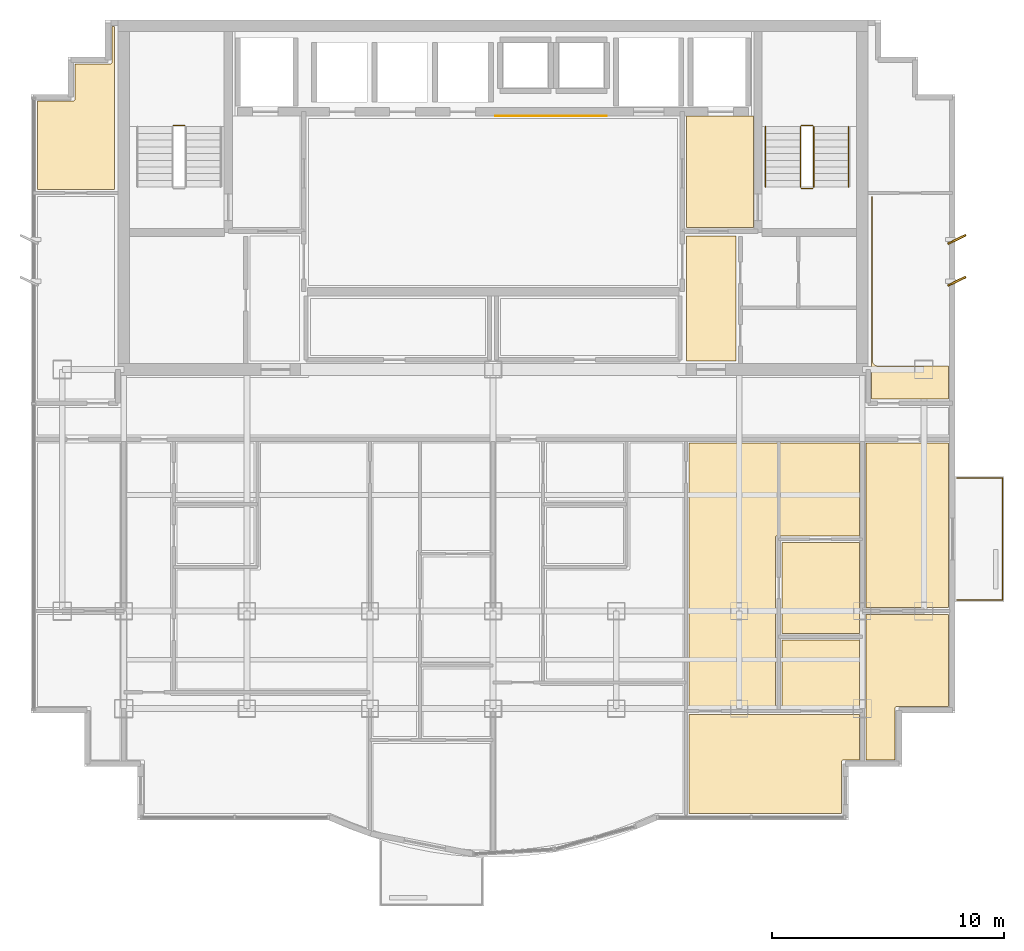
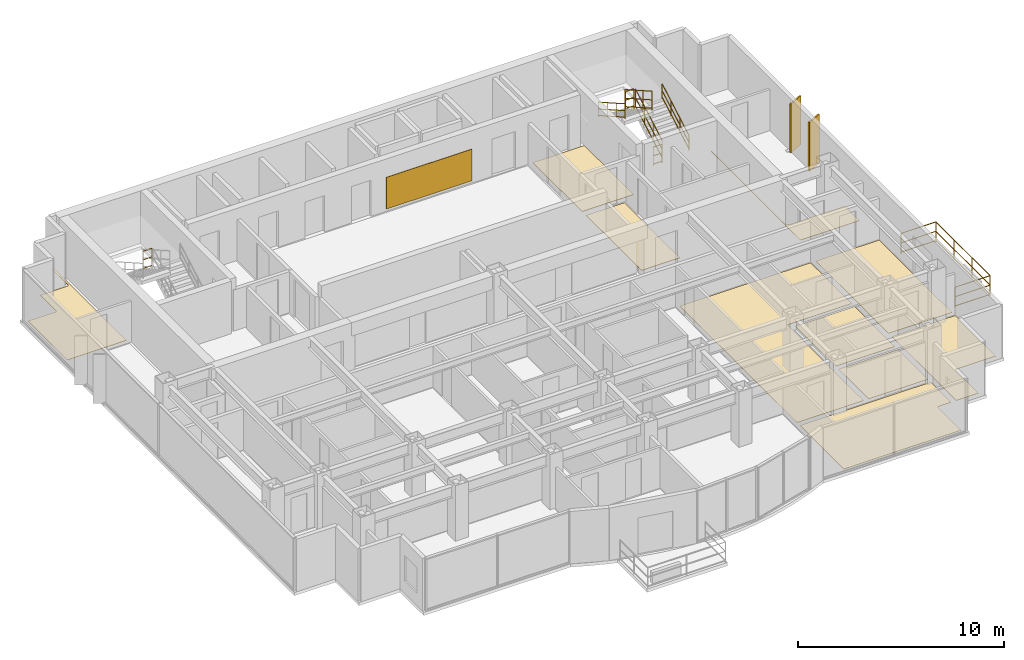
# One storey, part 11 of 11: 11 coverings, 8 railings, 2 shading devices.
"""IFC4 building model written with IfcOpenShell, lengths in metres."""

from ifc_helpers import new_model, si_unit, direction, frame, origin, origin_2d, place, context, subcontext, project, spatial, polyline, rectangle, circle, outline, extrude, source, transform, mapped, material, layer, layer_set, type_object, element, save


model = new_model("IFC4")

# Units and contexts
model_context = context("Model", 3, precision=1e-05, world=origin(), true_north=direction((0.0, 1.0)))
body_context = subcontext(model_context, "Body", "Model", "MODEL_VIEW")
ifc_project = project(units=[si_unit("LENGTHUNIT", "METRE"), si_unit("AREAUNIT", "SQUARE_METRE"), si_unit("VOLUMEUNIT", "CUBIC_METRE"), si_unit("PLANEANGLEUNIT", "RADIAN"), si_unit("MASSUNIT", "GRAM", prefix="KILO")], contexts=[model_context])

# Site, building, storey
site_placement = place(None, origin())
site = spatial("IfcSite", under=ifc_project, at=site_placement, CompositionType="ELEMENT")
building_placement = place(site_placement, origin())
building = spatial("IfcBuilding", under=site, at=building_placement, Name="Qianlan Lanfeng Residences", CompositionType="ELEMENT")
storey_placement = place(building_placement, frame((0.0, 0.0, 226.39990234375)))
storey = spatial("IfcBuildingStorey", under=building, at=storey_placement, Name="L62", CompositionType="ELEMENT", Elevation=226.39990234375)

# Coverings
ifc_material_1 = material(Name="Anodised Bronze Feature Wall Cladding")
ifc_layer_1 = layer(ifc_material_1, 0.02490234375)
ifc_layer_set_1 = layer_set([ifc_layer_1], Name="Anodised Bronze Feature Wall Cladding")
covering_type_1 = type_object("IfcCoveringType", Name="CLD-BRZ-25", PredefinedType="CLADDING", material=ifc_layer_set_1)
covering_1_placement = place(storey_placement, frame((0.0, 0.0, 0.150146484375)))
element("IfcCovering", 1, at=covering_1_placement, inside=storey, type_object=covering_type_1, Name="L62 Lift Lobby Bronze Feature Cladding", PredefinedType="CLADDING", context=body_context, shape_type="SweptSolid", body=[
    extrude(outline(polyline([(26.60009765625, 36.10009765625), (31.39990234375, 36.10009765625), (31.39990234375, 36.125), (26.60009765625, 36.125), (26.60009765625, 36.10009765625)])), origin(), (0.0, 0.0, 1.0), 1.8798828125),
])
ifc_material_2 = material(Name="Honed Taitung Granite Stone Flooring", Category="masonry")
ifc_layer_2 = layer(ifc_material_2, 0.030029296875)
ifc_layer_set_2 = layer_set([ifc_layer_2], Name="Honed Taitung Granite Stone Flooring")
covering_type_2 = type_object("IfcCoveringType", Name="FLR-STN-30", PredefinedType="FLOORING", material=ifc_layer_set_2)
covering_2_placement = place(storey_placement, origin())
element("IfcCovering", 2, at=covering_2_placement, inside=storey, type_object=covering_type_2, Name="L62 Firefighting Lift Lobby Floor Finish", PredefinedType="FLOORING", context=body_context, shape_type="SweptSolid", body=[
    extrude(outline(polyline([(34.820068359375, 31.320068359375), (37.7099609375, 31.320068359375), (37.7099609375, 36.110107421875), (34.820068359375, 36.110107421875), (34.820068359375, 31.320068359375)])), origin(), (0.0, 0.0, 1.0), 0.030029296875),
])
covering_3_placement = place(storey_placement, origin())
element("IfcCovering", 3, at=covering_3_placement, inside=storey, type_object=covering_type_2, Name="L62 Lift Lobby Floor Finish", PredefinedType="FLOORING", context=body_context, shape_type="SweptSolid", body=[
    extrude(outline(polyline([(34.830078125, 25.56005859375), (36.969970703125, 25.56005859375), (36.969970703125, 30.949951171875), (34.830078125, 30.949951171875), (34.830078125, 25.56005859375)])), origin(), (0.0, 0.0, 1.0), 0.030029296875),
])
ifc_material_3 = material(Name="Slip-Resistant Porcelain Tile Flooring")
ifc_layer_3 = layer(ifc_material_3, 0.02001953125)
ifc_layer_set_3 = layer_set([ifc_layer_3], Name="Slip-Resistant Porcelain Tile Flooring")
covering_type_3 = type_object("IfcCoveringType", Name="FLR-TIL-20", PredefinedType="FLOORING", material=ifc_layer_set_3)
covering_4_placement = place(storey_placement, origin())
element("IfcCovering", 4, at=covering_4_placement, inside=storey, type_object=covering_type_3, Name="L62 En-Suite Bathroom Floor Finish", PredefinedType="FLOORING", context=body_context, shape_type="SweptSolid", body=[
    extrude(outline(polyline([(38.93994140625, 10.634033203125), (42.27001953125, 10.634033203125), (42.27001953125, 13.553955078125), (38.93994140625, 13.553955078125), (38.93994140625, 10.634033203125)])), origin(), (0.0, 0.0, 1.0), 0.02001953125),
])
ifc_material_4 = material(Name="Engineered Smoked Oak Timber Flooring", Category="wood")
ifc_layer_4 = layer(ifc_material_4, 0.02197265625)
ifc_layer_set_4 = layer_set([ifc_layer_4], Name="Engineered Smoked Oak Timber Flooring")
covering_type_4 = type_object("IfcCoveringType", Name="FLR-TIM-22", PredefinedType="FLOORING", material=ifc_layer_set_4)
covering_5_placement = place(storey_placement, origin())
element("IfcCovering", 5, at=covering_5_placement, inside=storey, type_object=covering_type_4, Name="L62 Private Study Floor Finish", PredefinedType="FLOORING", context=body_context, shape_type="SweptSolid", body=[
    extrude(outline(polyline([(38.93994140625, 13.833984375), (42.27001953125, 13.833984375), (42.27001953125, 17.757080078125), (38.93994140625, 17.757080078125), (38.93994140625, 13.833984375)])), origin(), (0.0, 0.0, 1.0), 0.022216796875),
])
covering_6_placement = place(storey_placement, origin())
element("IfcCovering", 6, at=covering_6_placement, inside=storey, type_object=covering_type_4, Name="L62 Villa Family Sitting Room Floor Finish", PredefinedType="FLOORING", context=body_context, shape_type="SweptSolid", body=[
    extrude(outline(polyline([(34.929931640625, 10.634033203125), (38.659912109375, 10.634033203125), (38.659912109375, 17.967041015625), (38.659912109375, 17.97412109375), (38.660888671875, 17.98095703125), (38.6630859375, 17.987060546875), (38.6650390625, 17.993896484375), (38.66796875, 18.0), (38.672119140625, 18.006103515625), (38.676025390625, 18.010986328125), (38.680908203125, 18.01611328125), (38.68603515625, 18.02099609375), (38.69091796875, 18.02490234375), (38.697021484375, 18.029052734375), (38.702880859375, 18.031982421875), (38.7099609375, 18.033935546875), (38.716064453125, 18.035888671875), (38.722900390625, 18.037109375), (38.72998046875, 18.037109375), (42.27001953125, 18.037109375), (42.27001953125, 22.030029296875), (34.929931640625, 22.030029296875), (34.929931640625, 10.634033203125)])), origin(), (0.0, 0.0, 1.0), 0.022216796875),
])
covering_7_placement = place(storey_placement, origin())
element("IfcCovering", 7, at=covering_7_placement, inside=storey, type_object=covering_type_4, Name="L62 Master Bedroom Floor Finish", PredefinedType="FLOORING", context=body_context, shape_type="SweptSolid", body=[
    extrude(outline(polyline([(34.929931640625, 10.35400390625), (34.929931640625, 6.090087890625), (41.510009765625, 6.090087890625), (41.510009765625, 8.320068359375), (41.510009765625, 8.326904296875), (41.510986328125, 8.333984375), (41.512939453125, 8.340087890625), (41.514892578125, 8.346923828125), (41.51806640625, 8.35302734375), (41.52197265625, 8.35888671875), (41.52587890625, 8.364013671875), (41.531005859375, 8.368896484375), (41.535888671875, 8.3740234375), (41.541015625, 8.3779296875), (41.547119140625, 8.382080078125), (41.552978515625, 8.385009765625), (41.56005859375, 8.386962890625), (41.56591796875, 8.388916015625), (41.572998046875, 8.389892578125), (41.580078125, 8.389892578125), (42.27001953125, 8.389892578125), (42.27001953125, 10.35400390625), (34.929931640625, 10.35400390625)])), origin(), (0.0, 0.0, 1.0), 0.022216796875),
])
covering_8_placement = place(storey_placement, origin())
element("IfcCovering", 8, at=covering_8_placement, inside=storey, type_object=covering_type_4, Name="L62 Sunroom Floor Finish", PredefinedType="FLOORING", context=body_context, shape_type="SweptSolid", body=[
    extrude(outline(polyline([(46.110107421875, 14.64990234375), (42.56005859375, 14.64990234375), (42.56005859375, 8.389892578125), (43.81005859375, 8.389892578125), (43.81005859375, 10.6201171875), (43.81005859375, 10.626953125), (43.81103515625, 10.634033203125), (43.81298828125, 10.639892578125), (43.81494140625, 10.64697265625), (43.818115234375, 10.653076171875), (43.822021484375, 10.658935546875), (43.825927734375, 10.6640625), (43.8310546875, 10.6689453125), (43.8359375, 10.674072265625), (43.841064453125, 10.677978515625), (43.846923828125, 10.681884765625), (43.85302734375, 10.68505859375), (43.860107421875, 10.68701171875), (43.865966796875, 10.68896484375), (43.873046875, 10.68994140625), (43.8798828125, 10.68994140625), (46.110107421875, 10.68994140625), (46.110107421875, 14.64990234375)])), origin(), (0.0, 0.0, 1.0), 0.022216796875),
])
covering_9_placement = place(storey_placement, origin())
element("IfcCovering", 9, at=covering_9_placement, inside=storey, type_object=covering_type_4, Name="L62 Private Study Floor Finish", PredefinedType="FLOORING", context=body_context, shape_type="SweptSolid", body=[
    extrude(outline(polyline([(46.110107421875, 22.030029296875), (42.56005859375, 22.030029296875), (42.56005859375, 14.949951171875), (46.110107421875, 14.949951171875), (46.110107421875, 22.030029296875)])), origin(), (0.0, 0.0, 1.0), 0.022216796875),
])
covering_10_placement = place(storey_placement, origin())
element("IfcCovering", 10, at=covering_10_placement, inside=storey, type_object=covering_type_4, Name="L62 Resident Lounge Floor Finish", PredefinedType="FLOORING", context=body_context, shape_type="SweptSolid", body=[
    extrude(outline(polyline([(6.889892578125, 32.949951171875), (10.199951171875, 32.949951171875), (10.199951171875, 39.9599609375), (10.090087890625, 39.9599609375), (10.090087890625, 38.429931640625), (10.090087890625, 38.423095703125), (10.089111328125, 38.416015625), (10.0869140625, 38.409912109375), (10.0849609375, 38.403076171875), (10.08203125, 38.39697265625), (10.077880859375, 38.39111328125), (10.073974609375, 38.385986328125), (10.069091796875, 38.381103515625), (10.06396484375, 38.3759765625), (10.05908203125, 38.3720703125), (10.052978515625, 38.367919921875), (10.047119140625, 38.364990234375), (10.0400390625, 38.363037109375), (10.033935546875, 38.361083984375), (10.027099609375, 38.360107421875), (10.02001953125, 38.360107421875), (8.489990234375, 38.360107421875), (8.489990234375, 36.830078125), (8.489990234375, 36.822998046875), (8.489013671875, 36.81591796875), (8.487060546875, 36.81005859375), (8.485107421875, 36.802978515625), (8.48193359375, 36.797119140625), (8.47802734375, 36.791015625), (8.47412109375, 36.785888671875), (8.468994140625, 36.781005859375), (8.464111328125, 36.77587890625), (8.458984375, 36.77197265625), (8.452880859375, 36.76806640625), (8.447021484375, 36.764892578125), (8.43994140625, 36.762939453125), (8.43408203125, 36.760986328125), (8.427001953125, 36.760009765625), (8.419921875, 36.760009765625), (6.889892578125, 36.760009765625), (6.889892578125, 32.949951171875)])), origin(), (0.0, 0.0, 1.0), 0.022216796875),
])
covering_11_placement = place(storey_placement, origin())
element("IfcCovering", 11, at=covering_11_placement, inside=storey, type_object=covering_type_4, Name="L62 Tea Salon Floor Finish", PredefinedType="FLOORING", context=body_context, shape_type="SweptSolid", body=[
    extrude(outline(polyline([(46.110107421875, 25.35009765625), (43.080078125, 25.35009765625), (43.054931640625, 25.35107421875), (43.031005859375, 25.35498046875), (43.007080078125, 25.361083984375), (42.98388671875, 25.368896484375), (42.9619140625, 25.3798828125), (42.94091796875, 25.39208984375), (42.9208984375, 25.406982421875), (42.903076171875, 25.423095703125), (42.886962890625, 25.44091796875), (42.8720703125, 25.4609375), (42.860107421875, 25.48193359375), (42.84912109375, 25.50390625), (42.841064453125, 25.527099609375), (42.8349609375, 25.551025390625), (42.8310546875, 25.574951171875), (42.830078125, 25.60009765625), (42.830078125, 32.64990234375), (42.800048828125, 32.64990234375), (42.800048828125, 23.929931640625), (46.110107421875, 23.929931640625), (46.110107421875, 25.35009765625)])), origin(), (0.0, 0.0, 1.0), 0.022216796875),
])

# Railings
ifc_material_5 = material(Name="Anodised Bronze Aluminium and Laminated Glass Guard Balustrade", Category="aluminium")
railing_type_1 = type_object("IfcRailingType", Name="GR-EXT-1220", PredefinedType="BALUSTRADE", material=ifc_material_5)
railing_1_placement = place(storey_placement, frame((46.469970703125, 20.530029296875, 0.0)))
element("IfcRailing", 12, at=railing_1_placement, inside=storey, type_object=railing_type_1, Name="L62 Terrace Safety Guard GR-L62-EB-S", PredefinedType="BALUSTRADE", context=body_context, shape_type="SweptSolid", body=[
    extrude(circle(Radius=0.02490234375, at=origin_2d()), frame((0.0, 0.0, 0.0849609375), z_axis=(1.0, 0.0, 0.0), x_axis=(0.0, 1.0, 0.0)), (0.0, 0.0, 1.0), 1.9599609375),
    extrude(circle(Radius=0.02490234375, at=origin_2d()), frame((0.0, 0.0, 0.63427734375), z_axis=(1.0, 0.0, 0.0), x_axis=(0.0, 1.0, 0.0)), (0.0, 0.0, 1.0), 1.9599609375),
    extrude(circle(Radius=0.02490234375, at=origin_2d()), frame((0.0, 0.0, 1.19482421875), z_axis=(1.0, 0.0, 0.0), x_axis=(0.0, 1.0, 0.0)), (0.0, 0.0, 1.0), 1.9599609375),
    extrude(circle(Radius=0.02490234375, at=origin_2d()), frame((1.9599609375, 0.0, 0.0849609375), z_axis=(0.0, -1.0, 0.0), x_axis=(1.0, 0.0, 0.0)), (0.0, 0.0, 1.0), 5.260009765625),
    extrude(circle(Radius=0.02490234375, at=origin_2d()), frame((1.9599609375, 0.0, 0.63427734375), z_axis=(0.0, -1.0, 0.0), x_axis=(1.0, 0.0, 0.0)), (0.0, 0.0, 1.0), 5.260009765625),
    extrude(circle(Radius=0.02490234375, at=origin_2d()), frame((1.9599609375, 0.0, 1.19482421875), z_axis=(0.0, -1.0, 0.0), x_axis=(1.0, 0.0, 0.0)), (0.0, 0.0, 1.0), 5.260009765625),
    extrude(circle(Radius=0.02490234375, at=origin_2d()), frame((1.9599609375, -5.260009765625, 0.0849609375), z_axis=(-1.0, 0.0, 0.0), x_axis=(0.0, -1.0, 0.0)), (0.0, 0.0, 1.0), 1.9599609375),
    extrude(circle(Radius=0.02490234375, at=origin_2d()), frame((1.9599609375, -5.260009765625, 0.63427734375), z_axis=(-1.0, 0.0, 0.0), x_axis=(0.0, -1.0, 0.0)), (0.0, 0.0, 1.0), 1.9599609375),
    extrude(circle(Radius=0.02490234375, at=origin_2d()), frame((1.9599609375, -5.260009765625, 1.19482421875), z_axis=(-1.0, 0.0, 0.0), x_axis=(0.0, -1.0, 0.0)), (0.0, 0.0, 1.0), 1.9599609375),
    extrude(circle(Radius=0.02099609375, at=origin_2d()), origin(), (0.0, 0.0, 1.0), 1.169921875),
    extrude(circle(Radius=0.02099609375, at=origin_2d()), frame((1.9599609375, 0.0, 0.0)), (0.0, 0.0, 1.0), 1.169921875),
    extrude(circle(Radius=0.02099609375, at=origin_2d()), frame((1.9599609375, -1.75341796875, 0.0)), (0.0, 0.0, 1.0), 1.169921875),
    extrude(circle(Radius=0.02099609375, at=origin_2d()), frame((1.9599609375, -3.506591796875, 0.0)), (0.0, 0.0, 1.0), 1.169921875),
    extrude(circle(Radius=0.02099609375, at=origin_2d()), frame((1.9599609375, -5.260009765625, 0.0)), (0.0, 0.0, 1.0), 1.169921875),
    extrude(circle(Radius=0.02099609375, at=origin_2d()), frame((0.0, -5.260009765625, 0.0)), (0.0, 0.0, 1.0), 1.169921875),
])
ifc_material_6 = material(Name="Painted Galvanised Steel Guardrail", Category="steel")
railing_type_2 = type_object("IfcRailingType", Name="GR-ST-1120", PredefinedType="GUARDRAIL", material=ifc_material_6)
railing_2_placement = place(storey_placement, frame((13.219970703125, 35.7099609375, 1.650146484375)))
element("IfcRailing", 13, at=railing_2_placement, inside=storey, type_object=railing_type_2, Name="L62 ST-1 stair guard 2", PredefinedType="GUARDRAIL", context=body_context, shape_type="SweptSolid", body=[
    extrude(circle(Radius=0.02392578125, at=origin_2d()), frame((0.0, 0.0, 0.083984375), z_axis=(-1.0, 0.0, 0.0), x_axis=(0.0, -1.0, 0.0)), (0.0, 0.0, 1.0), 0.47998046875),
    extrude(circle(Radius=0.02392578125, at=origin_2d()), frame((0.0, 0.0, 0.58251953125), z_axis=(-1.0, 0.0, 0.0), x_axis=(0.0, -1.0, 0.0)), (0.0, 0.0, 1.0), 0.47998046875),
    extrude(circle(Radius=0.02392578125, at=origin_2d()), frame((0.0, 0.0, 1.09619140625), z_axis=(-1.0, 0.0, 0.0), x_axis=(0.0, -1.0, 0.0)), (0.0, 0.0, 1.0), 0.47998046875),
    extrude(circle(Radius=0.02099609375, at=origin_2d()), origin(), (0.0, 0.0, 1.0), 1.072021484375),
    extrude(circle(Radius=0.02099609375, at=origin_2d()), frame((-0.47998046875, 0.0, 0.0)), (0.0, 0.0, 1.0), 1.072021484375),
])
railing_3_placement = place(storey_placement, frame((40.31005859375, 33.050048828125, 0.1650390625)))
element("IfcRailing", 14, at=railing_3_placement, inside=storey, type_object=railing_type_2, Name="L62 ST-2 stair guard 1", PredefinedType="GUARDRAIL", context=body_context, shape_type="SweptSolid", body=[
    extrude(circle(Radius=0.02392578125, at=origin_2d()), frame((0.0, 0.0, 0.083984375), z_axis=(0.0, 0.869137319866, 0.494570843475), x_axis=(-1.0, 0.0, 0.0)), (0.0, 0.0, 1.0), 3.0029296875),
    extrude(circle(Radius=0.02392578125, at=origin_2d()), frame((0.0, 0.0, 0.58251953125), z_axis=(0.0, 0.869137319866, 0.494570843475), x_axis=(-1.0, 0.0, 0.0)), (0.0, 0.0, 1.0), 3.0029296875),
    extrude(circle(Radius=0.02392578125, at=origin_2d()), frame((0.0, 0.0, 1.09619140625), z_axis=(0.0, 0.869137319866, 0.494570843475), x_axis=(-1.0, 0.0, 0.0)), (0.0, 0.0, 1.0), 3.0029296875),
    extrude(circle(Radius=0.02099609375, at=origin_2d()), origin(), (0.0, 0.0, 1.0), 1.072021484375),
    extrude(circle(Radius=0.02099609375, at=origin_2d()), frame((0.0, 0.869873046875, 0.4951171875)), (0.0, 0.0, 1.0), 1.072021484375),
    extrude(circle(Radius=0.02099609375, at=origin_2d()), frame((0.0, 1.739990234375, 0.989990234375)), (0.0, 0.0, 1.0), 1.072021484375),
    extrude(circle(Radius=0.02099609375, at=origin_2d()), frame((0.0, 2.60986328125, 1.485107421875)), (0.0, 0.0, 1.0), 1.072021484375),
])
railing_4_placement = place(storey_placement, frame((40.260009765625, 35.7099609375, 1.650146484375)))
element("IfcRailing", 15, at=railing_4_placement, inside=storey, type_object=railing_type_2, Name="L62 ST-2 stair guard 2", PredefinedType="GUARDRAIL", context=body_context, shape_type="SweptSolid", body=[
    extrude(circle(Radius=0.02392578125, at=origin_2d()), frame((0.0, 0.0, 0.083984375), z_axis=(-1.0, 0.0, 0.0), x_axis=(0.0, -1.0, 0.0)), (0.0, 0.0, 1.0), 0.47998046875),
    extrude(circle(Radius=0.02392578125, at=origin_2d()), frame((0.0, 0.0, 0.58251953125), z_axis=(-1.0, 0.0, 0.0), x_axis=(0.0, -1.0, 0.0)), (0.0, 0.0, 1.0), 0.47998046875),
    extrude(circle(Radius=0.02392578125, at=origin_2d()), frame((0.0, 0.0, 1.09619140625), z_axis=(-1.0, 0.0, 0.0), x_axis=(0.0, -1.0, 0.0)), (0.0, 0.0, 1.0), 0.47998046875),
    extrude(circle(Radius=0.02099609375, at=origin_2d()), origin(), (0.0, 0.0, 1.0), 1.072021484375),
    extrude(circle(Radius=0.02099609375, at=origin_2d()), frame((-0.47998046875, 0.0, 0.0)), (0.0, 0.0, 1.0), 1.072021484375),
])
railing_5_placement = place(storey_placement, frame((39.72998046875, 35.659912109375, 1.815185546875)))
element("IfcRailing", 16, at=railing_5_placement, inside=storey, type_object=railing_type_2, Name="L62 ST-2 stair guard 3", PredefinedType="GUARDRAIL", context=body_context, shape_type="SweptSolid", body=[
    extrude(circle(Radius=0.02392578125, at=origin_2d()), frame((0.0, 0.0, 0.083984375), z_axis=(0.0, -0.869172267526, 0.494509422927), x_axis=(1.0, 0.0, 0.0)), (0.0, 0.0, 1.0), 3.002685546875),
    extrude(circle(Radius=0.02392578125, at=origin_2d()), frame((0.0, 0.0, 0.58251953125), z_axis=(0.0, -0.869172267526, 0.494509422927), x_axis=(1.0, 0.0, 0.0)), (0.0, 0.0, 1.0), 3.002685546875),
    extrude(circle(Radius=0.02392578125, at=origin_2d()), frame((0.0, 0.0, 1.09619140625), z_axis=(0.0, -0.869172267526, 0.494509422927), x_axis=(1.0, 0.0, 0.0)), (0.0, 0.0, 1.0), 3.002685546875),
    extrude(circle(Radius=0.02099609375, at=origin_2d()), origin(), (0.0, 0.0, 1.0), 1.072021484375),
    extrude(circle(Radius=0.02099609375, at=origin_2d()), frame((0.0, -0.869873046875, 0.494873046875)), (0.0, 0.0, 1.0), 1.072021484375),
    extrude(circle(Radius=0.02099609375, at=origin_2d()), frame((0.0, -1.739990234375, 0.989990234375)), (0.0, 0.0, 1.0), 1.072021484375),
    extrude(circle(Radius=0.02099609375, at=origin_2d()), frame((0.0, -2.60986328125, 1.48486328125)), (0.0, 0.0, 1.0), 1.072021484375),
])
railing_6_placement = place(storey_placement, frame((40.260009765625, 33.0, 0.0)))
element("IfcRailing", 17, at=railing_6_placement, inside=storey, type_object=railing_type_2, Name="L62 ST-2 stair guard 4", PredefinedType="GUARDRAIL", context=body_context, shape_type="SweptSolid", body=[
    extrude(circle(Radius=0.02392578125, at=origin_2d()), frame((0.0, 0.0, 0.083984375), z_axis=(-1.0, 0.0, 0.0), x_axis=(0.0, -1.0, 0.0)), (0.0, 0.0, 1.0), 0.47998046875),
    extrude(circle(Radius=0.02392578125, at=origin_2d()), frame((0.0, 0.0, 0.58251953125), z_axis=(-1.0, 0.0, 0.0), x_axis=(0.0, -1.0, 0.0)), (0.0, 0.0, 1.0), 0.47998046875),
    extrude(circle(Radius=0.02392578125, at=origin_2d()), frame((0.0, 0.0, 1.09619140625), z_axis=(-1.0, 0.0, 0.0), x_axis=(0.0, -1.0, 0.0)), (0.0, 0.0, 1.0), 0.47998046875),
    extrude(circle(Radius=0.02099609375, at=origin_2d()), origin(), (0.0, 0.0, 1.0), 1.072021484375),
    extrude(circle(Radius=0.02099609375, at=origin_2d()), frame((-0.47998046875, 0.0, 0.0)), (0.0, 0.0, 1.0), 1.072021484375),
])
ifc_material_7 = material(Name="Brushed Stainless Steel Handrail", Category="steel")
railing_type_3 = type_object("IfcRailingType", Name="HR-ST-920", PredefinedType="HANDRAIL", material=ifc_material_7)
railing_7_placement = place(storey_placement, frame((41.81005859375, 33.050048828125, 0.1650390625)))
element("IfcRailing", 18, at=railing_7_placement, inside=storey, type_object=railing_type_3, Name="L62 ST-2 stair handrail 1", PredefinedType="HANDRAIL", context=body_context, shape_type="SweptSolid", body=[
    extrude(circle(Radius=0.02392578125, at=origin_2d()), frame((0.0, 0.0, 0.083984375), z_axis=(0.0, 0.869137319866, 0.494570843475), x_axis=(-1.0, 0.0, 0.0)), (0.0, 0.0, 1.0), 3.0029296875),
    extrude(circle(Radius=0.02392578125, at=origin_2d()), frame((0.0, 0.0, 0.468017578125), z_axis=(0.0, 0.869137319866, 0.494570843475), x_axis=(-1.0, 0.0, 0.0)), (0.0, 0.0, 1.0), 3.0029296875),
    extrude(circle(Radius=0.02392578125, at=origin_2d()), frame((0.0, 0.0, 0.8759765625), z_axis=(0.0, 0.869137319866, 0.494570843475), x_axis=(-1.0, 0.0, 0.0)), (0.0, 0.0, 1.0), 3.0029296875),
    extrude(circle(Radius=0.02099609375, at=origin_2d()), origin(), (0.0, 0.0, 1.0), 0.851806640625),
    extrude(circle(Radius=0.02099609375, at=origin_2d()), frame((0.0, 0.869873046875, 0.4951171875)), (0.0, 0.0, 1.0), 0.851806640625),
    extrude(circle(Radius=0.02099609375, at=origin_2d()), frame((0.0, 1.739990234375, 0.989990234375)), (0.0, 0.0, 1.0), 0.851806640625),
    extrude(circle(Radius=0.02099609375, at=origin_2d()), frame((0.0, 2.60986328125, 1.485107421875)), (0.0, 0.0, 1.0), 0.851806640625),
])
railing_8_placement = place(storey_placement, frame((38.22998046875, 35.659912109375, 1.815185546875)))
element("IfcRailing", 19, at=railing_8_placement, inside=storey, type_object=railing_type_3, Name="L62 ST-2 stair handrail 2", PredefinedType="HANDRAIL", context=body_context, shape_type="SweptSolid", body=[
    extrude(circle(Radius=0.02392578125, at=origin_2d()), frame((0.0, 0.0, 0.083984375), z_axis=(0.0, -0.869172267526, 0.494509422927), x_axis=(1.0, 0.0, 0.0)), (0.0, 0.0, 1.0), 3.002685546875),
    extrude(circle(Radius=0.02392578125, at=origin_2d()), frame((0.0, 0.0, 0.468017578125), z_axis=(0.0, -0.869172267526, 0.494509422927), x_axis=(1.0, 0.0, 0.0)), (0.0, 0.0, 1.0), 3.002685546875),
    extrude(circle(Radius=0.02392578125, at=origin_2d()), frame((0.0, 0.0, 0.8759765625), z_axis=(0.0, -0.869172267526, 0.494509422927), x_axis=(1.0, 0.0, 0.0)), (0.0, 0.0, 1.0), 3.002685546875),
    extrude(circle(Radius=0.02099609375, at=origin_2d()), origin(), (0.0, 0.0, 1.0), 0.851806640625),
    extrude(circle(Radius=0.02099609375, at=origin_2d()), frame((0.0, -0.869873046875, 0.494873046875)), (0.0, 0.0, 1.0), 0.851806640625),
    extrude(circle(Radius=0.02099609375, at=origin_2d()), frame((0.0, -1.739990234375, 0.989990234375)), (0.0, 0.0, 1.0), 0.851806640625),
    extrude(circle(Radius=0.02099609375, at=origin_2d()), frame((0.0, -2.60986328125, 1.48486328125)), (0.0, 0.0, 1.0), 0.851806640625),
])

# Shading devices
ifc_material_8 = material(Name="Anodised Bronze Aluminium Solar Fin", Category="aluminium")
shading_device_type = type_object("IfcShadingDeviceType", Name="FIN-BRZ-850", PredefinedType="SHUTTER", material=ifc_material_8)
shared_shape = source(origin(), body_context, "Body", "SweptSolid", [
    extrude(rectangle(XDim=0.85009765625, YDim=0.080078125, at=origin_2d()), origin(), (0.0, 0.0, 1.0), 2.89990234375),
])
for number, where, z_axis, x_axis, name in (
    (20, (46.469970703125, 29.0, 0.000244140625), (0.0, 0.0, 1.0), (0.898794046299, 0.438371146789, 0.0), "L62 Raked Bronze Solar Fin E1"),
    (21, (46.469970703125, 30.800048828125, 0.000244140625), (0.0, 0.0, 1.0), (0.898794046299, 0.438371146789, 0.0), "L62 Raked Bronze Solar Fin E2"),
):
    element("IfcShadingDevice", number, at=place(storey_placement, frame(where, z_axis=z_axis, x_axis=x_axis)), inside=storey, type_object=shading_device_type, Name=name, PredefinedType="SHUTTER", context=body_context, shape_type="MappedRepresentation", body=[
        mapped(shared_shape, transform((0.0, 0.0, 0.0), scale=1.0)),
    ])

save(model, "model.ifc")
